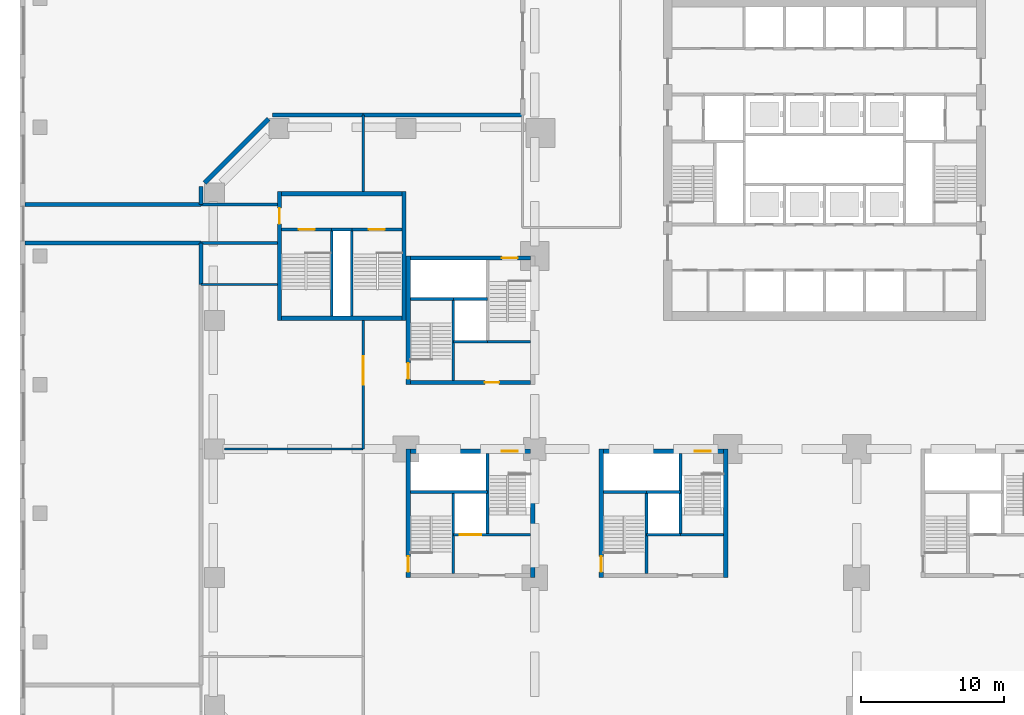
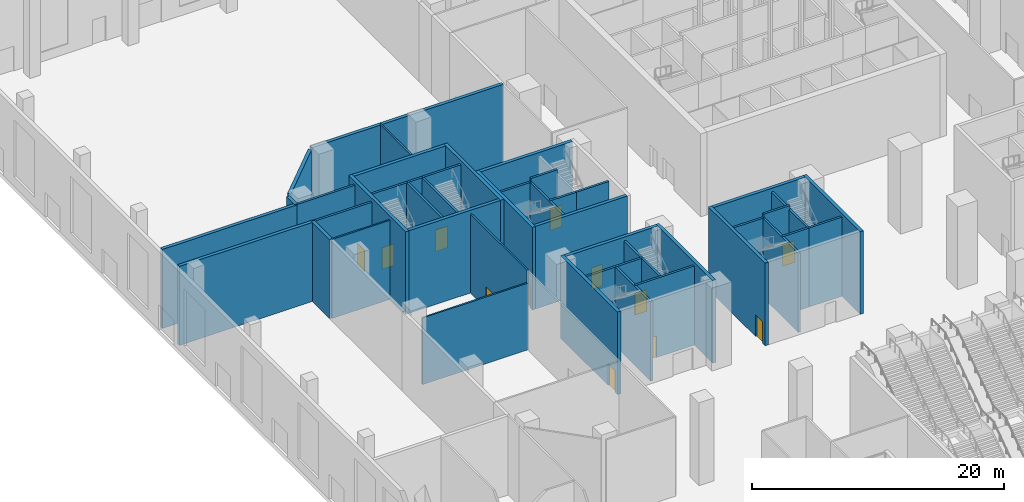
# One storey, part 10 of 32: 46 walls, 12 doors, 12 openings.
"""IFC4 building model written with IfcOpenShell, lengths in metres."""

from ifc_helpers import new_model, si_unit, direction, frame, frame_2d, origin, place, context, subcontext, project, spatial, rectangle, extrude, material, layer, layer_set, type_object, element, fill, save


model = new_model("IFC4")

# Units and contexts
model_context = context("Model", 3, precision=1e-05, world=origin(), true_north=direction((0.0, 1.0)))
body_context = subcontext(model_context, "Body", "Model", "MODEL_VIEW")
ifc_project = project(units=[si_unit("LENGTHUNIT", "METRE"), si_unit("AREAUNIT", "SQUARE_METRE"), si_unit("VOLUMEUNIT", "CUBIC_METRE"), si_unit("PLANEANGLEUNIT", "RADIAN"), si_unit("MASSUNIT", "GRAM", prefix="KILO")], contexts=[model_context])

# Site, building, storey
site_placement = place(None, origin())
site = spatial("IfcSite", under=ifc_project, at=site_placement, CompositionType="ELEMENT")
building_placement = place(site_placement, origin())
building = spatial("IfcBuilding", under=site, at=building_placement, Name="Quoin Convention Tower", CompositionType="ELEMENT")
storey_placement = place(building_placement, origin())
storey = spatial("IfcBuildingStorey", under=building, at=storey_placement, Name="L00", CompositionType="ELEMENT", Elevation=0.0)

# Walls
ifc_material_1 = material(Name="Plasterboard")
ifc_layer_1 = layer(ifc_material_1, 0.012451171875, Name="Finish")
ifc_material_2 = material(Name="Steel stud framing", Category="steel")
ifc_layer_2 = layer(ifc_material_2, 0.27490234375, Name="Structure")
ifc_layer_3 = layer(ifc_material_1, 0.012451171875, Name="Finish")
ifc_layer_set_1 = layer_set([ifc_layer_1, ifc_layer_2, ifc_layer_3], Name="Steel stud framing")
wall_type_1 = type_object("IfcWallType", Name="Acoustic wall 300", PredefinedType="PARTITIONING", material=ifc_layer_set_1)
wall_1_placement = place(storey_placement, frame((12.64990234375, 52.0, 0.0), z_axis=(0.0, 0.0, 1.0), x_axis=(0.0, 1.0, 0.0)))
element("IfcWall", 1, at=wall_1_placement, inside=storey, type_object=wall_type_1, Name="pw-L00-061", PredefinedType="PARTITIONING", context=body_context, shape_type="SweptSolid", body=[
    extrude(rectangle(XDim=2.89990234375, YDim=0.300048828125, at=frame_2d((1.449951171875, 0.0))), origin(), (0.0, 0.0, 1.0), 7.64990234375),
])
for number, where, z_axis, x_axis, name in (
    (2, (0.35009765625, 54.89990234375, 0.0), (0.0, 0.0, 1.0), (1.0, 0.0, 0.0), "pw-L00-063"),
    (3, (0.35009765625, 57.60009765625, 0.0), (0.0, 0.0, 1.0), (1.0, 0.0, 0.0), "pw-L00-069"),
):
    element("IfcWall", number, at=place(storey_placement, frame(where, z_axis=z_axis, x_axis=x_axis)), inside=storey, type_object=wall_type_1, Name=name, PredefinedType="PARTITIONING", context=body_context, shape_type="SweptSolid", body=[
        extrude(rectangle(XDim=12.2998046875, YDim=0.300048828125, at=frame_2d((6.14990234375, 0.0))), origin(), (0.0, 0.0, 1.0), 7.64990234375),
    ])
wall_2_placement = place(storey_placement, frame((12.64990234375, 57.60009765625, 0.0), z_axis=(0.0, 0.0, 1.0), x_axis=(0.0, 1.0, 0.0)))
element("IfcWall", 4, at=wall_2_placement, inside=storey, type_object=wall_type_1, Name="pw-L00-071", PredefinedType="PARTITIONING", context=body_context, shape_type="SweptSolid", body=[
    extrude(rectangle(XDim=1.251953125, YDim=0.300048828125, at=frame_2d((0.6259765625, 0.0))), origin(), (0.0, 0.0, 1.0), 7.64990234375),
])
wall_3_placement = place(storey_placement, frame((12.91796875, 59.1201171875, 0.0), z_axis=(0.0, 0.0, 1.0), x_axis=(0.707106781187, 0.707106781187, 0.0)))
element("IfcWall", 5, at=wall_3_placement, inside=storey, type_object=wall_type_1, Name="pw-L00-072", PredefinedType="PARTITIONING", context=body_context, shape_type="SweptSolid", body=[
    extrude(rectangle(XDim=6.31005859375, YDim=0.300048828125, at=frame_2d((3.155029296875, 0.0))), origin(), (0.0, 0.0, 1.0), 7.64990234375),
])
wall_4_placement = place(storey_placement, frame((17.64794921875, 63.85009765625, 0.0), z_axis=(0.0, 0.0, 1.0), x_axis=(1.0, 0.0, 0.0)))
element("IfcWall", 6, at=wall_4_placement, inside=storey, type_object=wall_type_1, Name="pw-L00-073", PredefinedType="PARTITIONING", context=body_context, shape_type="SweptSolid", body=[
    extrude(rectangle(XDim=6.35205078125, YDim=0.300048828125, at=frame_2d((3.176025390625, 0.0))), origin(), (0.0, 0.0, 1.0), 7.64990234375),
])
wall_5_placement = place(storey_placement, frame((24.0, 63.85009765625, 0.0), z_axis=(0.0, 0.0, 1.0), x_axis=(1.0, 0.0, 0.0)))
element("IfcWall", 7, at=wall_5_placement, inside=storey, type_object=wall_type_1, Name="pw-L00-074", PredefinedType="PARTITIONING", context=body_context, shape_type="SweptSolid", body=[
    extrude(rectangle(XDim=11.14990234375, YDim=0.300048828125, at=frame_2d((5.574951171875, 0.0))), origin(), (0.0, 0.0, 1.0), 7.64990234375),
])
ifc_material_3 = material(Name="Concrete C50", Category="concrete")
ifc_layer_4 = layer(ifc_material_3, 0.199951171875)
ifc_layer_set_2 = layer_set([ifc_layer_4], Name="Concrete C50")
wall_type_2 = type_object("IfcWallType", Name="Core shaft wall", PredefinedType="SOLIDWALL", material=ifc_layer_set_2)
wall_6_placement = place(storey_placement, frame((30.300048828125, 48.0, 0.0), z_axis=(0.0, 0.0, 1.0), x_axis=(1.0, 0.0, 0.0)))
element("IfcWall", 8, at=wall_6_placement, inside=storey, type_object=wall_type_2, Name="cr-P2-L00-h3000_3300", PredefinedType="SOLIDWALL", context=body_context, shape_type="SweptSolid", body=[
    extrude(rectangle(XDim=2.39990234375, YDim=0.199951171875, at=frame_2d((1.199951171875, 0.0))), origin(), (0.0, 0.0, 1.0), 7.64990234375),
])
for number, where, z_axis, x_axis, name in (
    (9, (32.699951171875, 48.0, 0.0), (0.0, 0.0, 1.0), (1.0, 0.0, 0.0), "cr-P2-L00-h3000_5700"),
    (10, (27.300048828125, 51.0, 0.0), (0.0, 0.0, 1.0), (1.0, 0.0, 0.0), "cr-P2-L00-h6000_300"),
):
    element("IfcWall", number, at=place(storey_placement, frame(where, z_axis=z_axis, x_axis=x_axis)), inside=storey, type_object=wall_type_2, Name=name, PredefinedType="SOLIDWALL", context=body_context, shape_type="SweptSolid", body=[
        extrude(rectangle(XDim=3.0, YDim=0.199951171875, at=frame_2d((1.5, 0.0))), origin(), (0.0, 0.0, 1.0), 7.64990234375),
    ])
wall_7_placement = place(storey_placement, frame((30.300048828125, 45.300048828125, 0.0), z_axis=(0.0, 0.0, 1.0), x_axis=(0.0, 1.0, 0.0)))
element("IfcWall", 11, at=wall_7_placement, inside=storey, type_object=wall_type_2, Name="cr-P2-L00-v3300_300", PredefinedType="SOLIDWALL", context=body_context, shape_type="SweptSolid", body=[
    extrude(rectangle(XDim=5.699951171875, YDim=0.199951171875, at=frame_2d((2.85009765625, 0.0))), origin(), (0.0, 0.0, 1.0), 7.64990234375),
])
wall_8_placement = place(storey_placement, frame((43.800048828125, 34.5, 0.0), z_axis=(0.0, 0.0, 1.0), x_axis=(1.0, 0.0, 0.0)))
element("IfcWall", 12, at=wall_8_placement, inside=storey, type_object=wall_type_2, Name="cr-P3-L00-h3000_3300", PredefinedType="SOLIDWALL", context=body_context, shape_type="SweptSolid", body=[
    extrude(rectangle(XDim=2.39990234375, YDim=0.199951171875, at=frame_2d((1.199951171875, 0.0))), origin(), (0.0, 0.0, 1.0), 7.64990234375),
])
for number, where, z_axis, x_axis, name in (
    (13, (46.199951171875, 34.5, 0.0), (0.0, 0.0, 1.0), (1.0, 0.0, 0.0), "cr-P3-L00-h3000_5700"),
    (14, (40.800048828125, 37.5, 0.0), (0.0, 0.0, 1.0), (1.0, 0.0, 0.0), "cr-P3-L00-h6000_300"),
):
    element("IfcWall", number, at=place(storey_placement, frame(where, z_axis=z_axis, x_axis=x_axis)), inside=storey, type_object=wall_type_2, Name=name, PredefinedType="SOLIDWALL", context=body_context, shape_type="SweptSolid", body=[
        extrude(rectangle(XDim=3.0, YDim=0.199951171875, at=frame_2d((1.5, 0.0))), origin(), (0.0, 0.0, 1.0), 7.64990234375),
    ])
for number, where, z_axis, x_axis, name in (
    (15, (43.800048828125, 31.800048828125, 0.0), (0.0, 0.0, 1.0), (0.0, 1.0, 0.0), "cr-P3-L00-v3300_300"),
    (16, (46.199951171875, 34.5, 0.0), (0.0, 0.0, 1.0), (0.0, 1.0, 0.0), "cr-P3-L00-v5700_3000"),
):
    element("IfcWall", number, at=place(storey_placement, frame(where, z_axis=z_axis, x_axis=x_axis)), inside=storey, type_object=wall_type_2, Name=name, PredefinedType="SOLIDWALL", context=body_context, shape_type="SweptSolid", body=[
        extrude(rectangle(XDim=5.699951171875, YDim=0.199951171875, at=frame_2d((2.85009765625, 0.0))), origin(), (0.0, 0.0, 1.0), 7.64990234375),
    ])

# Wall, opening, door
wall_9_placement = place(storey_placement, frame((30.300048828125, 34.5, 0.0), z_axis=(0.0, 0.0, 1.0), x_axis=(1.0, 0.0, 0.0)))
wall_9 = element("IfcWall", 17, at=wall_9_placement, inside=storey, type_object=wall_type_2, Name="cr-P4-L00-h3000_3300", PredefinedType="SOLIDWALL", context=body_context, shape_type="SweptSolid", body=[
    extrude(rectangle(XDim=5.39990234375, YDim=0.199951171875, at=frame_2d((2.699951171875, 0.0))), origin(), (0.0, 0.0, 1.0), 7.64990234375),
])
opening_1_placement = place(wall_9_placement, frame((0.449951171875, 0.0, 0.0)))
opening_1 = element("IfcOpeningElement", 18, at=opening_1_placement, cuts=wall_9, Name="Opening LDGL1", PredefinedType="OPENING", context=body_context, shape_type="SweptSolid", body=[
    extrude(rectangle(XDim=1.5, YDim=2.10009765625, at=frame_2d((0.75, 1.050048828125))), frame((0.0, 0.10986328125, 0.0), z_axis=(0.0, -1.0, 0.0), x_axis=(1.0, 0.0, 0.0)), (0.0, 0.0, 1.0), 0.219970703125),
])
ifc_material_4 = material(Name="Steel door leaf", Category="steel")
door_type_1 = type_object("IfcDoorType", Name="Lift landing door 1500 x 2100", OperationType="DOUBLE_DOOR_SLIDING", PredefinedType="DOOR", material=ifc_material_4)
door_1_placement = place(opening_1_placement, origin())
door_1 = element("IfcDoor", 19, at=door_1_placement, inside=storey, type_object=door_type_1, Name="cd-P4-L00-CEN-R2-LDGL1", OperationType="DOUBLE_DOOR_SLIDING", OverallHeight=2.10009765625, OverallWidth=1.5, PredefinedType="DOOR", context=body_context, shape_type="SweptSolid", body=[
    extrude(rectangle(XDim=1.5, YDim=2.10009765625, at=frame_2d((0.75, 1.050048828125))), frame((0.0, 0.02490234375, 0.0), z_axis=(0.0, -1.0, 0.0), x_axis=(1.0, 0.0, 0.0)), (0.0, 0.0, 1.0), 0.050048828125),
])
fill(opening_1, door_1)

# Walls
wall_10_placement = place(storey_placement, frame((27.300048828125, 37.5, 0.0), z_axis=(0.0, 0.0, 1.0), x_axis=(1.0, 0.0, 0.0)))
element("IfcWall", 20, at=wall_10_placement, inside=storey, type_object=wall_type_2, Name="cr-P4-L00-h6000_300", PredefinedType="SOLIDWALL", context=body_context, shape_type="SweptSolid", body=[
    extrude(rectangle(XDim=5.39990234375, YDim=0.199951171875, at=frame_2d((2.699951171875, 0.0))), origin(), (0.0, 0.0, 1.0), 7.64990234375),
])
for number, where, z_axis, x_axis, name in (
    (21, (30.300048828125, 31.800048828125, 0.0), (0.0, 0.0, 1.0), (0.0, 1.0, 0.0), "cr-P4-L00-v3300_300"),
    (22, (32.699951171875, 34.5, 0.0), (0.0, 0.0, 1.0), (0.0, 1.0, 0.0), "cr-P4-L00-v5700_3000"),
):
    element("IfcWall", number, at=place(storey_placement, frame(where, z_axis=z_axis, x_axis=x_axis)), inside=storey, type_object=wall_type_2, Name=name, PredefinedType="SOLIDWALL", context=body_context, shape_type="SweptSolid", body=[
        extrude(rectangle(XDim=5.699951171875, YDim=0.199951171875, at=frame_2d((2.85009765625, 0.0))), origin(), (0.0, 0.0, 1.0), 7.64990234375),
    ])
wall_11_placement = place(storey_placement, frame((21.800048828125, 55.85009765625, 0.0), z_axis=(0.0, 0.0, 1.0), x_axis=(1.0, 0.0, 0.0)))
element("IfcWall", 23, at=wall_11_placement, inside=storey, type_object=wall_type_2, Name="cr-P6-L00-h6350_3800", PredefinedType="SOLIDWALL", context=body_context, shape_type="SweptSolid", body=[
    extrude(rectangle(XDim=1.39990234375, YDim=0.199951171875, at=frame_2d((0.699951171875, 0.0))), origin(), (0.0, 0.0, 1.0), 7.64990234375),
])

# Wall, opening, door
wall_12_placement = place(storey_placement, frame((18.300048828125, 55.85009765625, 0.0), z_axis=(0.0, 0.0, 1.0), x_axis=(1.0, 0.0, 0.0)))
wall_12 = element("IfcWall", 24, at=wall_12_placement, inside=storey, type_object=wall_type_2, Name="cr-P6-L00-h6350_300", PredefinedType="SOLIDWALL", context=body_context, shape_type="SweptSolid", body=[
    extrude(rectangle(XDim=3.5, YDim=0.199951171875, at=frame_2d((1.75, 0.0))), origin(), (0.0, 0.0, 1.0), 7.64990234375),
])
opening_2_placement = place(wall_12_placement, frame((1.199951171875, 0.0, 0.0)))
opening_2 = element("IfcOpeningElement", 25, at=opening_2_placement, cuts=wall_12, Name="Opening SD11", PredefinedType="OPENING", context=body_context, shape_type="SweptSolid", body=[
    extrude(rectangle(XDim=1.10009765625, YDim=2.10009765625, at=frame_2d((0.550048828125, 1.050048828125))), frame((0.0, 0.10986328125, 0.0), z_axis=(0.0, -1.0, 0.0), x_axis=(1.0, 0.0, 0.0)), (0.0, 0.0, 1.0), 0.219970703125),
])
door_type_2 = type_object("IfcDoorType", Name="Stair door 1100 x 2100", OperationType="SINGLE_SWING_RIGHT", PredefinedType="DOOR", material=ifc_material_4)
door_2_placement = place(opening_2_placement, origin())
door_2 = element("IfcDoor", 26, at=door_2_placement, inside=storey, type_object=door_type_2, Name="cd-P6-L00-SA-R2-SD11", OperationType="SINGLE_SWING_RIGHT", OverallHeight=2.10009765625, OverallWidth=1.10009765625, PredefinedType="DOOR", context=body_context, shape_type="SweptSolid", body=[
    extrude(rectangle(XDim=1.10009765625, YDim=2.10009765625, at=frame_2d((0.550048828125, 1.050048828125))), frame((0.0, 0.02490234375, 0.0), z_axis=(0.0, -1.0, 0.0), x_axis=(1.0, 0.0, 0.0)), (0.0, 0.0, 1.0), 0.050048828125),
])
fill(opening_2, door_2)

wall_13_placement = place(storey_placement, frame((23.199951171875, 55.85009765625, 0.0), z_axis=(0.0, 0.0, 1.0), x_axis=(1.0, 0.0, 0.0)))
wall_13 = element("IfcWall", 27, at=wall_13_placement, inside=storey, type_object=wall_type_2, Name="cr-P6-L00-h6350_5200", PredefinedType="SOLIDWALL", context=body_context, shape_type="SweptSolid", body=[
    extrude(rectangle(XDim=3.5, YDim=0.199951171875, at=frame_2d((1.75, 0.0))), origin(), (0.0, 0.0, 1.0), 7.64990234375),
])
opening_3_placement = place(wall_13_placement, frame((1.199951171875, 0.0, 0.0)))
opening_3 = element("IfcOpeningElement", 28, at=opening_3_placement, cuts=wall_13, Name="Opening SD12", PredefinedType="OPENING", context=body_context, shape_type="SweptSolid", body=[
    extrude(rectangle(XDim=1.10009765625, YDim=2.10009765625, at=frame_2d((0.550048828125, 1.050048828125))), frame((0.0, 0.10986328125, 0.0), z_axis=(0.0, -1.0, 0.0), x_axis=(1.0, 0.0, 0.0)), (0.0, 0.0, 1.0), 0.219970703125),
])
door_3_placement = place(opening_3_placement, origin())
door_3 = element("IfcDoor", 29, at=door_3_placement, inside=storey, type_object=door_type_2, Name="cd-P6-L00-SB-R2-SD12", OperationType="SINGLE_SWING_RIGHT", OverallHeight=2.10009765625, OverallWidth=1.10009765625, PredefinedType="DOOR", context=body_context, shape_type="SweptSolid", body=[
    extrude(rectangle(XDim=1.10009765625, YDim=2.10009765625, at=frame_2d((0.550048828125, 1.050048828125))), frame((0.0, 0.02490234375, 0.0), z_axis=(0.0, -1.0, 0.0), x_axis=(1.0, 0.0, 0.0)), (0.0, 0.0, 1.0), 0.050048828125),
])
fill(opening_3, door_3)

# Walls
for number, where, z_axis, x_axis, name in (
    (30, (21.800048828125, 49.800048828125, 0.0), (0.0, 0.0, 1.0), (0.0, 1.0, 0.0), "cr-P6-L00-v3800_300"),
    (31, (23.199951171875, 49.800048828125, 0.0), (0.0, 0.0, 1.0), (0.0, 1.0, 0.0), "cr-P6-L00-v5200_300"),
):
    element("IfcWall", number, at=place(storey_placement, frame(where, z_axis=z_axis, x_axis=x_axis)), inside=storey, type_object=wall_type_2, Name=name, PredefinedType="SOLIDWALL", context=body_context, shape_type="SweptSolid", body=[
        extrude(rectangle(XDim=6.050048828125, YDim=0.199951171875, at=frame_2d((3.02490234375, 0.0))), origin(), (0.0, 0.0, 1.0), 7.64990234375),
    ])
ifc_layer_5 = layer(ifc_material_3, 0.199951171875)
ifc_layer_set_3 = layer_set([ifc_layer_5], Name="Concrete C50")
wall_type_3 = type_object("IfcWallType", Name="Core shaft wall to the floor level over", PredefinedType="SOLIDWALL", material=ifc_layer_set_3)
for number, where, z_axis, x_axis, name in (
    (32, (30.300048828125, 51.0, 0.0), (0.0, 0.0, 1.0), (1.0, 0.0, 0.0), "cr-P2-L00-h6000_3300"),
    (33, (43.800048828125, 37.5, 0.0), (0.0, 0.0, 1.0), (1.0, 0.0, 0.0), "cr-P3-L00-h6000_3300"),
):
    element("IfcWall", number, at=place(storey_placement, frame(where, z_axis=z_axis, x_axis=x_axis)), inside=storey, type_object=wall_type_3, Name=name, PredefinedType="SOLIDWALL", context=body_context, shape_type="SweptSolid", body=[
        extrude(rectangle(XDim=2.39990234375, YDim=0.199951171875, at=frame_2d((1.199951171875, 0.0))), origin(), (0.0, 0.0, 1.0), 8.0),
    ])
ifc_layer_6 = layer(ifc_material_1, 0.012451171875, Name="Finish")
ifc_layer_7 = layer(ifc_material_2, 0.175048828125, Name="Structure")
ifc_layer_8 = layer(ifc_material_1, 0.012451171875, Name="Finish")
ifc_layer_set_4 = layer_set([ifc_layer_6, ifc_layer_7, ifc_layer_8], Name="Steel stud framing")
wall_type_4 = type_object("IfcWallType", Name="Fire-rated wall 200", PredefinedType="PARTITIONING", material=ifc_layer_set_4)
for number, where, z_axis, x_axis, name in (
    (34, (12.64990234375, 54.89990234375, 0.0), (0.0, 0.0, 1.0), (1.0, 0.0, 0.0), "pw-L00-064"),
    (35, (12.64990234375, 57.60009765625, 0.0), (0.0, 0.0, 1.0), (1.0, 0.0, 0.0), "pw-L00-070"),
):
    element("IfcWall", number, at=place(storey_placement, frame(where, z_axis=z_axis, x_axis=x_axis)), inside=storey, type_object=wall_type_4, Name=name, PredefinedType="PARTITIONING", context=body_context, shape_type="SweptSolid", body=[
        extrude(rectangle(XDim=5.35009765625, YDim=0.199951171875, at=frame_2d((2.675048828125, 0.0))), origin(), (0.0, 0.0, 1.0), 7.64990234375),
    ])

# Wall, opening, door
ifc_layer_9 = layer(ifc_material_1, 0.012451171875, Name="Finish")
ifc_layer_10 = layer(ifc_material_2, 0.125, Name="Structure")
ifc_layer_11 = layer(ifc_material_1, 0.012451171875, Name="Finish")
ifc_layer_set_5 = layer_set([ifc_layer_9, ifc_layer_10, ifc_layer_11], Name="Steel stud framing")
wall_type_5 = type_object("IfcWallType", Name="Partition wall 150", PredefinedType="PARTITIONING", material=ifc_layer_set_5)
wall_14_placement = place(storey_placement, frame((24.0, 40.5, 0.0), z_axis=(0.0, 0.0, 1.0), x_axis=(0.0, 1.0, 0.0)))
wall_14 = element("IfcWall", 36, at=wall_14_placement, inside=storey, type_object=wall_type_5, Name="pw-L00-053", PredefinedType="PARTITIONING", context=body_context, shape_type="SweptSolid", body=[
    extrude(rectangle(XDim=9.0, YDim=0.14990234375, at=frame_2d((4.5, 0.0))), origin(), (0.0, 0.0, 1.0), 7.64990234375),
])
opening_4_placement = place(wall_14_placement, frame((4.5, 0.0, 0.0)))
opening_4 = element("IfcOpeningElement", 37, at=opening_4_placement, cuts=wall_14, Name="Opening DPD0-21", PredefinedType="OPENING", context=body_context, shape_type="SweptSolid", body=[
    extrude(rectangle(XDim=2.0, YDim=2.10009765625, at=frame_2d((1.0, 1.050048828125))), frame((0.0, 0.0849609375, 0.0), z_axis=(0.0, -1.0, 0.0), x_axis=(1.0, 0.0, 0.0)), (0.0, 0.0, 1.0), 0.169921875),
])
door_type_3 = type_object("IfcDoorType", Name="Double leaf door 2000", OperationType="DOUBLE_DOOR_SINGLE_SWING", PredefinedType="DOOR", material=ifc_material_4)
door_4_placement = place(opening_4_placement, origin())
door_4 = element("IfcDoor", 38, at=door_4_placement, inside=storey, type_object=door_type_3, Name="dr-L00-043", OperationType="DOUBLE_DOOR_SINGLE_SWING", OverallHeight=2.10009765625, OverallWidth=2.0, PredefinedType="DOOR", context=body_context, shape_type="SweptSolid", body=[
    extrude(rectangle(XDim=2.0, YDim=2.10009765625, at=frame_2d((1.0, 1.050048828125))), frame((0.0, 0.02490234375, 0.0), z_axis=(0.0, -1.0, 0.0), x_axis=(1.0, 0.0, 0.0)), (0.0, 0.0, 1.0), 0.050048828125),
])
fill(opening_4, door_4)

# Walls
for number, where, z_axis, x_axis, name in (
    (39, (12.64990234375, 52.0, 0.0), (0.0, 0.0, 1.0), (1.0, 0.0, 0.0), "pw-L00-060"),
    (40, (24.0, 58.5, 0.0), (0.0, 0.0, 1.0), (0.0, 1.0, 0.0), "pw-L00-062"),
):
    element("IfcWall", number, at=place(storey_placement, frame(where, z_axis=z_axis, x_axis=x_axis)), inside=storey, type_object=wall_type_5, Name=name, PredefinedType="PARTITIONING", context=body_context, shape_type="SweptSolid", body=[
        extrude(rectangle(XDim=5.35009765625, YDim=0.14990234375, at=frame_2d((2.675048828125, 0.0))), origin(), (0.0, 0.0, 1.0), 7.64990234375),
    ])
ifc_layer_12 = layer(ifc_material_1, 0.012451171875, Name="Finish")
ifc_layer_13 = layer(ifc_material_2, 0.125, Name="Structure")
ifc_layer_14 = layer(ifc_material_1, 0.012451171875, Name="Finish")
ifc_layer_set_6 = layer_set([ifc_layer_12, ifc_layer_13, ifc_layer_14], Name="Steel stud framing")
wall_type_6 = type_object("IfcWallType", Name="Partition wall 150 under beam 1200", PredefinedType="PARTITIONING", material=ifc_layer_set_6)
wall_15_placement = place(storey_placement, frame((14.300048828125, 40.5, 0.0), z_axis=(0.0, 0.0, 1.0), x_axis=(1.0, 0.0, 0.0)))
element("IfcWall", 41, at=wall_15_placement, inside=storey, type_object=wall_type_6, Name="pw-L00-051", PredefinedType="PARTITIONING", context=body_context, shape_type="SweptSolid", body=[
    extrude(rectangle(XDim=9.699951171875, YDim=0.14990234375, at=frame_2d((4.85009765625, 0.0))), origin(), (0.0, 0.0, 1.0), 6.449951171875),
])

# Wall, opening, door
ifc_material_5 = material(Name="Concrete C100 (100 MPa)", Category="concrete")
ifc_layer_15 = layer(ifc_material_5, 0.300048828125)
ifc_layer_set_7 = layer_set([ifc_layer_15], Name="Concrete C100 (100 MPa)")
wall_type_7 = type_object("IfcWallType", Name="RC CORE WALL 300 C100", PredefinedType="SHEAR", material=ifc_layer_set_7)
wall_16_placement = place(storey_placement, frame((27.300048828125, 45.14990234375, 0.0), z_axis=(0.0, 0.0, 1.0), x_axis=(1.0, 0.0, 0.0)))
wall_16 = element("IfcWall", 42, at=wall_16_placement, inside=storey, type_object=wall_type_7, Name="cwl-P2-L00-S", PredefinedType="SHEAR", context=body_context, shape_type="SweptSolid", body=[
    extrude(rectangle(XDim=8.39990234375, YDim=0.300048828125, at=frame_2d((4.199951171875, 0.0))), origin(), (0.0, 0.0, 1.0), 8.0),
])
opening_5_placement = place(wall_16_placement, frame((5.199951171875, 0.0, 0.0)))
opening_5 = element("IfcOpeningElement", 43, at=opening_5_placement, cuts=wall_16, Name="Opening DCV0-60", PredefinedType="OPENING", context=body_context, shape_type="SweptSolid", body=[
    extrude(rectangle(XDim=1.0, YDim=2.10009765625, at=frame_2d((0.5, 1.050048828125))), frame((0.0, 0.159912109375, 0.0), z_axis=(0.0, -1.0, 0.0), x_axis=(1.0, 0.0, 0.0)), (0.0, 0.0, 1.0), 0.320068359375),
])
door_type_4 = type_object("IfcDoorType", Name="Service door 1000 x 2100", OperationType="SINGLE_SWING_LEFT", PredefinedType="DOOR", material=ifc_material_4)
door_5_placement = place(opening_5_placement, origin())
door_5 = element("IfcDoor", 44, at=door_5_placement, inside=storey, type_object=door_type_4, Name="cd-P2-L00-R2-S", OperationType="SINGLE_SWING_LEFT", OverallHeight=2.10009765625, OverallWidth=1.0, PredefinedType="DOOR", context=body_context, shape_type="SweptSolid", body=[
    extrude(rectangle(XDim=1.0, YDim=2.10009765625, at=frame_2d((0.5, 1.050048828125))), frame((0.0, 0.02490234375, 0.0), z_axis=(0.0, -1.0, 0.0), x_axis=(1.0, 0.0, 0.0)), (0.0, 0.0, 1.0), 0.050048828125),
])
fill(opening_5, door_5)

wall_17_placement = place(storey_placement, frame((27.300048828125, 53.85009765625, 0.0), z_axis=(0.0, 0.0, 1.0), x_axis=(1.0, 0.0, 0.0)))
wall_17 = element("IfcWall", 45, at=wall_17_placement, inside=storey, type_object=wall_type_7, Name="cwl-P2-L00-N", PredefinedType="SHEAR", context=body_context, shape_type="SweptSolid", body=[
    extrude(rectangle(XDim=8.39990234375, YDim=0.300048828125, at=frame_2d((4.199951171875, 0.0))), origin(), (0.0, 0.0, 1.0), 8.0),
])
opening_6_placement = place(wall_17_placement, frame((6.39990234375, 0.0, 0.0)))
opening_6 = element("IfcOpeningElement", 46, at=opening_6_placement, cuts=wall_17, Name="Opening SD4", PredefinedType="OPENING", context=body_context, shape_type="SweptSolid", body=[
    extrude(rectangle(XDim=1.10009765625, YDim=2.10009765625, at=frame_2d((0.550048828125, 1.050048828125))), frame((0.0, 0.159912109375, 0.0), z_axis=(0.0, -1.0, 0.0), x_axis=(1.0, 0.0, 0.0)), (0.0, 0.0, 1.0), 0.320068359375),
])
door_6_placement = place(opening_6_placement, frame((1.10009765625, 0.0, 0.0), z_axis=(0.0, 0.0, 1.0), x_axis=(-1.0, 0.0, 0.0)))
door_6 = element("IfcDoor", 47, at=door_6_placement, inside=storey, type_object=door_type_2, Name="cd-P2-L00-SB-N", OperationType="SINGLE_SWING_LEFT", OverallHeight=2.10009765625, OverallWidth=1.10009765625, PredefinedType="DOOR", context=body_context, shape_type="SweptSolid", body=[
    extrude(rectangle(XDim=1.10009765625, YDim=2.10009765625, at=frame_2d((0.550048828125, 1.050048828125))), frame((0.0, 0.02490234375, 0.0), z_axis=(0.0, -1.0, 0.0), x_axis=(1.0, 0.0, 0.0)), (0.0, 0.0, 1.0), 0.050048828125),
])
fill(opening_6, door_6)

wall_18_placement = place(storey_placement, frame((27.14990234375, 45.0, 0.0), z_axis=(0.0, 0.0, 1.0), x_axis=(0.0, 1.0, 0.0)))
wall_18 = element("IfcWall", 48, at=wall_18_placement, inside=storey, type_object=wall_type_7, Name="cwl-P2-L00-W", PredefinedType="SHEAR", context=body_context, shape_type="SweptSolid", body=[
    extrude(rectangle(XDim=9.0, YDim=0.300048828125, at=frame_2d((4.5, 0.0))), origin(), (0.0, 0.0, 1.0), 8.0),
])
opening_7_placement = place(wall_18_placement, frame((0.39990234375, 0.0, 0.0)))
opening_7 = element("IfcOpeningElement", 49, at=opening_7_placement, cuts=wall_18, Name="Opening SD3", PredefinedType="OPENING", context=body_context, shape_type="SweptSolid", body=[
    extrude(rectangle(XDim=1.10009765625, YDim=2.10009765625, at=frame_2d((0.550048828125, 1.050048828125))), frame((0.0, 0.159912109375, 0.0), z_axis=(0.0, -1.0, 0.0), x_axis=(1.0, 0.0, 0.0)), (0.0, 0.0, 1.0), 0.320068359375),
])
door_7_placement = place(opening_7_placement, frame((1.10009765625, 0.0, 0.0), z_axis=(0.0, 0.0, 1.0), x_axis=(-1.0, 0.0, 0.0)))
door_7 = element("IfcDoor", 50, at=door_7_placement, inside=storey, type_object=door_type_2, Name="cd-P2-L00-SA-W", OperationType="SINGLE_SWING_RIGHT", OverallHeight=2.10009765625, OverallWidth=1.10009765625, PredefinedType="DOOR", context=body_context, shape_type="SweptSolid", body=[
    extrude(rectangle(XDim=1.10009765625, YDim=2.10009765625, at=frame_2d((0.550048828125, 1.050048828125))), frame((0.0, 0.02490234375, 0.0), z_axis=(0.0, -1.0, 0.0), x_axis=(1.0, 0.0, 0.0)), (0.0, 0.0, 1.0), 0.050048828125),
])
fill(opening_7, door_7)

wall_19_placement = place(storey_placement, frame((40.800048828125, 40.35009765625, 0.0), z_axis=(0.0, 0.0, 1.0), x_axis=(1.0, 0.0, 0.0)))
wall_19 = element("IfcWall", 51, at=wall_19_placement, inside=storey, type_object=wall_type_7, Name="cwl-P3-L00-N", PredefinedType="SHEAR", context=body_context, shape_type="SweptSolid", body=[
    extrude(rectangle(XDim=8.39990234375, YDim=0.300048828125, at=frame_2d((4.199951171875, 0.0))), origin(), (0.0, 0.0, 1.0), 8.0),
])
opening_8_placement = place(wall_19_placement, frame((6.39990234375, 0.0, 0.0)))
opening_8 = element("IfcOpeningElement", 52, at=opening_8_placement, cuts=wall_19, Name="Opening SD6", PredefinedType="OPENING", context=body_context, shape_type="SweptSolid", body=[
    extrude(rectangle(XDim=1.10009765625, YDim=2.10009765625, at=frame_2d((0.550048828125, 1.050048828125))), frame((0.0, 0.159912109375, 0.0), z_axis=(0.0, -1.0, 0.0), x_axis=(1.0, 0.0, 0.0)), (0.0, 0.0, 1.0), 0.320068359375),
])
door_8_placement = place(opening_8_placement, frame((1.10009765625, 0.0, 0.0), z_axis=(0.0, 0.0, 1.0), x_axis=(-1.0, 0.0, 0.0)))
door_8 = element("IfcDoor", 53, at=door_8_placement, inside=storey, type_object=door_type_2, Name="cd-P3-L00-SB-N", OperationType="SINGLE_SWING_LEFT", OverallHeight=2.10009765625, OverallWidth=1.10009765625, PredefinedType="DOOR", context=body_context, shape_type="SweptSolid", body=[
    extrude(rectangle(XDim=1.10009765625, YDim=2.10009765625, at=frame_2d((0.550048828125, 1.050048828125))), frame((0.0, 0.02490234375, 0.0), z_axis=(0.0, -1.0, 0.0), x_axis=(1.0, 0.0, 0.0)), (0.0, 0.0, 1.0), 0.050048828125),
])
fill(opening_8, door_8)

wall_20_placement = place(storey_placement, frame((40.64990234375, 31.5, 0.0), z_axis=(0.0, 0.0, 1.0), x_axis=(0.0, 1.0, 0.0)))
wall_20 = element("IfcWall", 54, at=wall_20_placement, inside=storey, type_object=wall_type_7, Name="cwl-P3-L00-W", PredefinedType="SHEAR", context=body_context, shape_type="SweptSolid", body=[
    extrude(rectangle(XDim=9.0, YDim=0.300048828125, at=frame_2d((4.5, 0.0))), origin(), (0.0, 0.0, 1.0), 8.0),
])
opening_9_placement = place(wall_20_placement, frame((0.39990234375, 0.0, 0.0)))
opening_9 = element("IfcOpeningElement", 55, at=opening_9_placement, cuts=wall_20, Name="Opening SD5", PredefinedType="OPENING", context=body_context, shape_type="SweptSolid", body=[
    extrude(rectangle(XDim=1.10009765625, YDim=2.10009765625, at=frame_2d((0.550048828125, 1.050048828125))), frame((0.0, 0.159912109375, 0.0), z_axis=(0.0, -1.0, 0.0), x_axis=(1.0, 0.0, 0.0)), (0.0, 0.0, 1.0), 0.320068359375),
])
door_9_placement = place(opening_9_placement, frame((1.10009765625, 0.0, 0.0), z_axis=(0.0, 0.0, 1.0), x_axis=(-1.0, 0.0, 0.0)))
door_9 = element("IfcDoor", 56, at=door_9_placement, inside=storey, type_object=door_type_2, Name="cd-P3-L00-SA-W", OperationType="SINGLE_SWING_RIGHT", OverallHeight=2.10009765625, OverallWidth=1.10009765625, PredefinedType="DOOR", context=body_context, shape_type="SweptSolid", body=[
    extrude(rectangle(XDim=1.10009765625, YDim=2.10009765625, at=frame_2d((0.550048828125, 1.050048828125))), frame((0.0, 0.02490234375, 0.0), z_axis=(0.0, -1.0, 0.0), x_axis=(1.0, 0.0, 0.0)), (0.0, 0.0, 1.0), 0.050048828125),
])
fill(opening_9, door_9)

# Wall
wall_21_placement = place(storey_placement, frame((49.35009765625, 31.5, 0.0), z_axis=(0.0, 0.0, 1.0), x_axis=(0.0, 1.0, 0.0)))
element("IfcWall", 57, at=wall_21_placement, inside=storey, type_object=wall_type_7, Name="cwl-P3-L00-E", PredefinedType="SHEAR", context=body_context, shape_type="SweptSolid", body=[
    extrude(rectangle(XDim=9.0, YDim=0.300048828125, at=frame_2d((4.5, 0.0))), origin(), (0.0, 0.0, 1.0), 8.0),
])

# Wall, opening, door
wall_22_placement = place(storey_placement, frame((27.300048828125, 40.35009765625, 0.0), z_axis=(0.0, 0.0, 1.0), x_axis=(1.0, 0.0, 0.0)))
wall_22 = element("IfcWall", 58, at=wall_22_placement, inside=storey, type_object=wall_type_7, Name="cwl-P4-L00-N", PredefinedType="SHEAR", context=body_context, shape_type="SweptSolid", body=[
    extrude(rectangle(XDim=8.39990234375, YDim=0.300048828125, at=frame_2d((4.199951171875, 0.0))), origin(), (0.0, 0.0, 1.0), 8.0),
])
opening_10_placement = place(wall_22_placement, frame((6.39990234375, 0.0, 0.0)))
opening_10 = element("IfcOpeningElement", 59, at=opening_10_placement, cuts=wall_22, Name="Opening SD8", PredefinedType="OPENING", context=body_context, shape_type="SweptSolid", body=[
    extrude(rectangle(XDim=1.10009765625, YDim=2.10009765625, at=frame_2d((0.550048828125, 1.050048828125))), frame((0.0, 0.159912109375, 0.0), z_axis=(0.0, -1.0, 0.0), x_axis=(1.0, 0.0, 0.0)), (0.0, 0.0, 1.0), 0.320068359375),
])
door_10_placement = place(opening_10_placement, frame((1.10009765625, 0.0, 0.0), z_axis=(0.0, 0.0, 1.0), x_axis=(-1.0, 0.0, 0.0)))
door_10 = element("IfcDoor", 60, at=door_10_placement, inside=storey, type_object=door_type_2, Name="cd-P4-L00-SB-N", OperationType="SINGLE_SWING_LEFT", OverallHeight=2.10009765625, OverallWidth=1.10009765625, PredefinedType="DOOR", context=body_context, shape_type="SweptSolid", body=[
    extrude(rectangle(XDim=1.10009765625, YDim=2.10009765625, at=frame_2d((0.550048828125, 1.050048828125))), frame((0.0, 0.02490234375, 0.0), z_axis=(0.0, -1.0, 0.0), x_axis=(1.0, 0.0, 0.0)), (0.0, 0.0, 1.0), 0.050048828125),
])
fill(opening_10, door_10)

wall_23_placement = place(storey_placement, frame((27.14990234375, 31.5, 0.0), z_axis=(0.0, 0.0, 1.0), x_axis=(0.0, 1.0, 0.0)))
wall_23 = element("IfcWall", 61, at=wall_23_placement, inside=storey, type_object=wall_type_7, Name="cwl-P4-L00-W", PredefinedType="SHEAR", context=body_context, shape_type="SweptSolid", body=[
    extrude(rectangle(XDim=9.0, YDim=0.300048828125, at=frame_2d((4.5, 0.0))), origin(), (0.0, 0.0, 1.0), 8.0),
])
opening_11_placement = place(wall_23_placement, frame((0.39990234375, 0.0, 0.0)))
opening_11 = element("IfcOpeningElement", 62, at=opening_11_placement, cuts=wall_23, Name="Opening SD7", PredefinedType="OPENING", context=body_context, shape_type="SweptSolid", body=[
    extrude(rectangle(XDim=1.10009765625, YDim=2.10009765625, at=frame_2d((0.550048828125, 1.050048828125))), frame((0.0, 0.159912109375, 0.0), z_axis=(0.0, -1.0, 0.0), x_axis=(1.0, 0.0, 0.0)), (0.0, 0.0, 1.0), 0.320068359375),
])
door_11_placement = place(opening_11_placement, frame((1.10009765625, 0.0, 0.0), z_axis=(0.0, 0.0, 1.0), x_axis=(-1.0, 0.0, 0.0)))
door_11 = element("IfcDoor", 63, at=door_11_placement, inside=storey, type_object=door_type_2, Name="cd-P4-L00-SA-W", OperationType="SINGLE_SWING_RIGHT", OverallHeight=2.10009765625, OverallWidth=1.10009765625, PredefinedType="DOOR", context=body_context, shape_type="SweptSolid", body=[
    extrude(rectangle(XDim=1.10009765625, YDim=2.10009765625, at=frame_2d((0.550048828125, 1.050048828125))), frame((0.0, 0.02490234375, 0.0), z_axis=(0.0, -1.0, 0.0), x_axis=(1.0, 0.0, 0.0)), (0.0, 0.0, 1.0), 0.050048828125),
])
fill(opening_11, door_11)

# Walls
wall_24_placement = place(storey_placement, frame((35.85009765625, 31.5, 0.0), z_axis=(0.0, 0.0, 1.0), x_axis=(0.0, 1.0, 0.0)))
element("IfcWall", 64, at=wall_24_placement, inside=storey, type_object=wall_type_7, Name="cwl-P4-L00-E", PredefinedType="SHEAR", context=body_context, shape_type="SweptSolid", body=[
    extrude(rectangle(XDim=9.0, YDim=0.300048828125, at=frame_2d((4.5, 0.0))), origin(), (0.0, 0.0, 1.0), 8.0),
])
for number, where, z_axis, x_axis, name in (
    (65, (18.300048828125, 49.64990234375, 0.0), (0.0, 0.0, 1.0), (1.0, 0.0, 0.0), "cwl-P6-L00-S"),
    (66, (18.300048828125, 58.35009765625, 0.0), (0.0, 0.0, 1.0), (1.0, 0.0, 0.0), "cwl-P6-L00-N"),
):
    element("IfcWall", number, at=place(storey_placement, frame(where, z_axis=z_axis, x_axis=x_axis)), inside=storey, type_object=wall_type_7, Name=name, PredefinedType="SHEAR", context=body_context, shape_type="SweptSolid", body=[
        extrude(rectangle(XDim=8.39990234375, YDim=0.300048828125, at=frame_2d((4.199951171875, 0.0))), origin(), (0.0, 0.0, 1.0), 8.0),
    ])

# Wall, opening, door
wall_25_placement = place(storey_placement, frame((18.14990234375, 49.5, 0.0), z_axis=(0.0, 0.0, 1.0), x_axis=(0.0, 1.0, 0.0)))
wall_25 = element("IfcWall", 67, at=wall_25_placement, inside=storey, type_object=wall_type_7, Name="cwl-P6-L00-W", PredefinedType="SHEAR", context=body_context, shape_type="SweptSolid", body=[
    extrude(rectangle(XDim=9.0, YDim=0.300048828125, at=frame_2d((4.5, 0.0))), origin(), (0.0, 0.0, 1.0), 8.0),
])
opening_12_placement = place(wall_25_placement, frame((6.75, 0.0, 0.0)))
opening_12 = element("IfcOpeningElement", 68, at=opening_12_placement, cuts=wall_25, Name="Opening CD00P6", PredefinedType="OPENING", context=body_context, shape_type="SweptSolid", body=[
    extrude(rectangle(XDim=1.10009765625, YDim=2.10009765625, at=frame_2d((0.550048828125, 1.050048828125))), frame((0.0, 0.159912109375, 0.0), z_axis=(0.0, -1.0, 0.0), x_axis=(1.0, 0.0, 0.0)), (0.0, 0.0, 1.0), 0.320068359375),
])
door_12_placement = place(opening_12_placement, frame((1.10009765625, 0.0, 0.0), z_axis=(0.0, 0.0, 1.0), x_axis=(-1.0, 0.0, 0.0)))
door_12 = element("IfcDoor", 69, at=door_12_placement, inside=storey, type_object=door_type_2, Name="cd-P6-L00-R2-W", OperationType="SINGLE_SWING_RIGHT", OverallHeight=2.10009765625, OverallWidth=1.10009765625, PredefinedType="DOOR", context=body_context, shape_type="SweptSolid", body=[
    extrude(rectangle(XDim=1.10009765625, YDim=2.10009765625, at=frame_2d((0.550048828125, 1.050048828125))), frame((0.0, 0.02490234375, 0.0), z_axis=(0.0, -1.0, 0.0), x_axis=(1.0, 0.0, 0.0)), (0.0, 0.0, 1.0), 0.050048828125),
])
fill(opening_12, door_12)

# Wall
wall_26_placement = place(storey_placement, frame((26.85009765625, 49.5, 0.0), z_axis=(0.0, 0.0, 1.0), x_axis=(0.0, 1.0, 0.0)))
element("IfcWall", 70, at=wall_26_placement, inside=storey, type_object=wall_type_7, Name="cwl-P6-L00-E", PredefinedType="SHEAR", context=body_context, shape_type="SweptSolid", body=[
    extrude(rectangle(XDim=9.0, YDim=0.300048828125, at=frame_2d((4.5, 0.0))), origin(), (0.0, 0.0, 1.0), 8.0),
])

save(model, "model.ifc")
